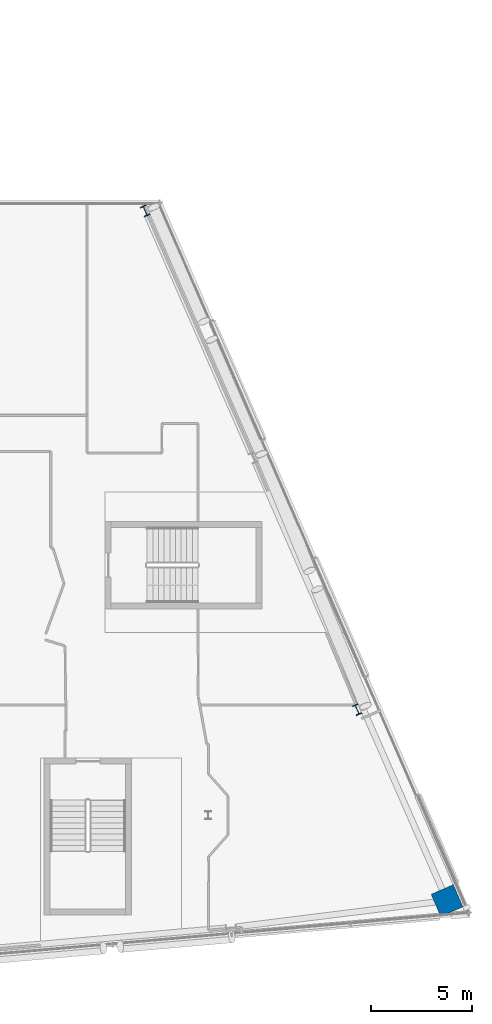
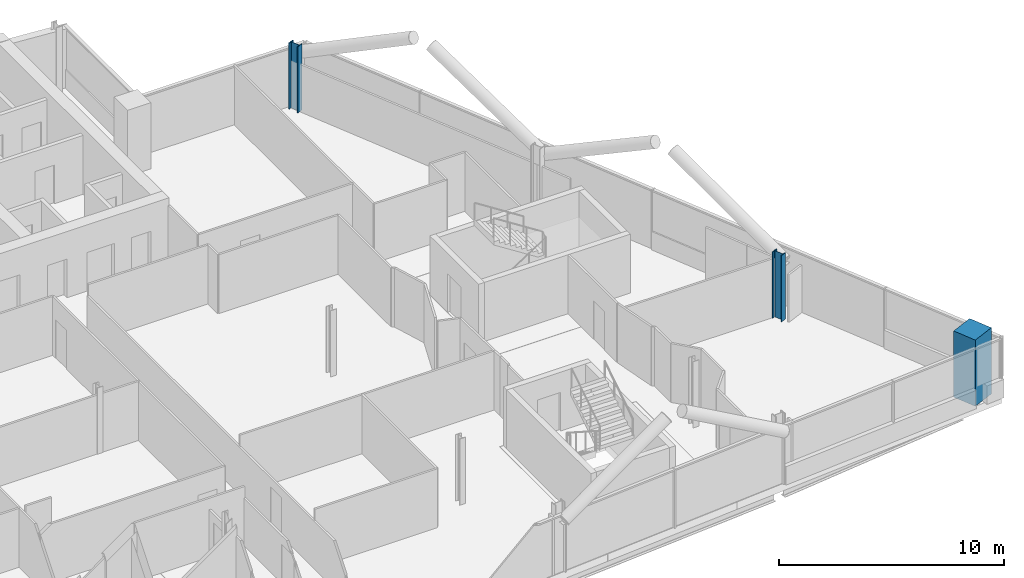
# One storey, part 4 of 28: 3 columns.
"""IFC4 building model written with IfcOpenShell, lengths in metres."""

from ifc_helpers import new_model, si_unit, direction, frame, origin, origin_2d, place, context, subcontext, project, spatial, rectangle, i_section, extrude, material, material_profile, profile_set, type_object, element, save


model = new_model("IFC4")

# Units and contexts
model_context = context("Model", 3, precision=1e-05, world=origin(), true_north=direction((0.0, 1.0)))
body_context = subcontext(model_context, "Body", "Model", "MODEL_VIEW")
ifc_project = project(units=[si_unit("LENGTHUNIT", "METRE"), si_unit("AREAUNIT", "SQUARE_METRE"), si_unit("VOLUMEUNIT", "CUBIC_METRE"), si_unit("PLANEANGLEUNIT", "RADIAN"), si_unit("MASSUNIT", "GRAM", prefix="KILO")], contexts=[model_context])

# Site, building, storey
site_placement = place(None, origin())
site = spatial("IfcSite", under=ifc_project, at=site_placement, CompositionType="ELEMENT")
building_placement = place(site_placement, origin())
building = spatial("IfcBuilding", under=site, at=building_placement, Name="Wharfspan Tower", CompositionType="ELEMENT")
storey_placement = place(building_placement, frame((0.0, 0.0, 250.300049)))
storey = spatial("IfcBuildingStorey", under=building, at=storey_placement, Name="L63", CompositionType="ELEMENT", Elevation=250.300049)

# Columns
ifc_material_1 = material(Name="Steel S355J2", Category="steel")
ifc_material_profile_1 = material_profile(ifc_material_1, i_section(OverallWidth=0.305908, OverallDepth=0.523926, WebThickness=0.020996, FlangeThickness=0.040039, FilletRadius=0.0271, at=origin_2d()))
ifc_profile_set_1 = profile_set([ifc_material_profile_1], Name="Steel S355J2")
column_type_1 = type_object("IfcColumnType", Name="Column HEM 500", PredefinedType="COLUMN", material=ifc_profile_set_1)
for number, where, z_axis, x_axis, name in (
    (1, (79.409668, 16.761719, 0.0), (0.0, 0.0, 1.0), (0.917072, 0.398727, 0.0), "Perimeter column PE.1 L63"),
    (2, (68.867188, 41.572266, 0.0), (0.0, 0.0, 1.0), (0.917072, 0.398727, 0.0), "Perimeter column PE.3 L63"),
):
    element("IfcColumn", number, at=place(storey_placement, frame(where, z_axis=z_axis, x_axis=x_axis)), inside=storey, type_object=column_type_1, Name=name, PredefinedType="COLUMN", context=body_context, shape_type="SweptSolid", body=[
        extrude(i_section(OverallWidth=0.305908, OverallDepth=0.523926, WebThickness=0.020996, FlangeThickness=0.040039, FilletRadius=0.0271, at=origin_2d()), origin(), (0.0, 0.0, 1.0), 3.599854),
    ])
ifc_material_2 = material(Name="Concrete C50/60", Category="concrete")
ifc_material_profile_2 = material_profile(ifc_material_2, rectangle(XDim=1.199951, YDim=1.199951, at=origin_2d()))
ifc_profile_set_2 = profile_set([ifc_material_profile_2], Name="Concrete C50/60")
column_type_2 = type_object("IfcColumnType", Name="Mega column 1200 C50/60", PredefinedType="COLUMN", material=ifc_profile_set_2)
column_placement = place(storey_placement, frame((83.882812, 7.264648, 0.0), z_axis=(0.0, 0.0, 1.0), x_axis=(-0.398727, 0.917072, 0.0)))
element("IfcColumn", 3, at=column_placement, inside=storey, type_object=column_type_2, Name="Mega column MC4 L63", PredefinedType="COLUMN", context=body_context, shape_type="SweptSolid", body=[
    extrude(rectangle(XDim=1.199951, YDim=1.199951, at=origin_2d()), origin(), (0.0, 0.0, 1.0), 3.599854),
])

save(model, "model.ifc")
